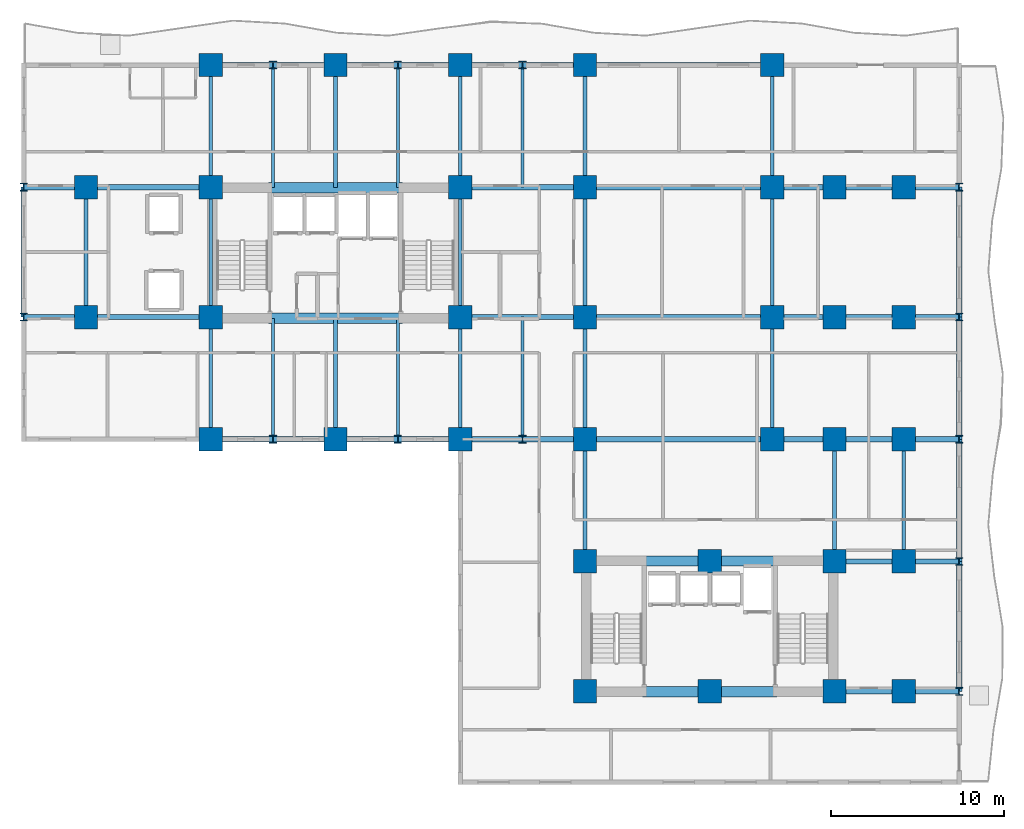
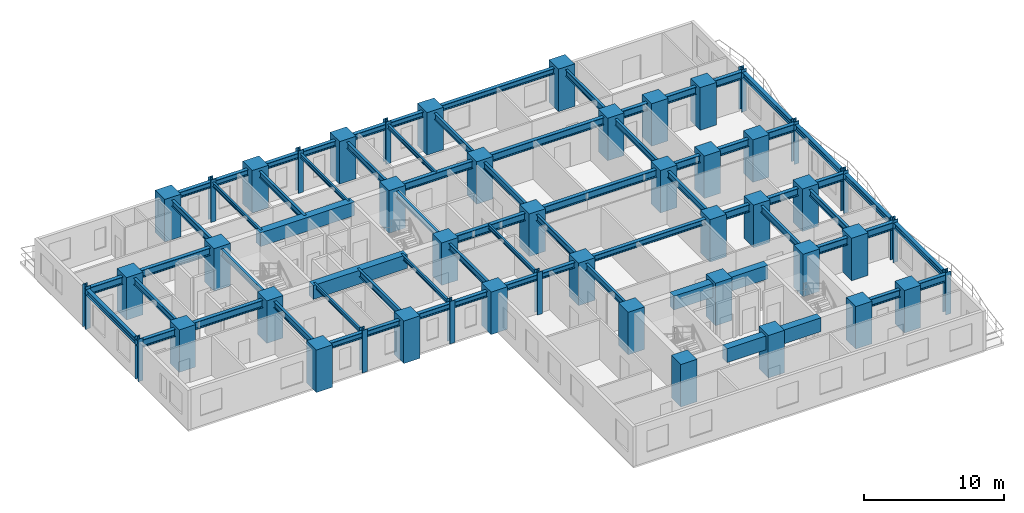
# One storey, part 1 of 11: 68 beams, 47 columns.
"""IFC4 building model written with IfcOpenShell, lengths in metres."""

import ifcopenshell
import ifcopenshell.guid

model = None  # the IFC model being written
_history = None  # IfcOwnerHistory: only IFC2X3 demands one
_inside = {}  # id of a spatial element -> (the spatial element, [elements in it])
_under = {}  # id of a project, library or spatial element -> (it, [spatial elements below it])
_declared = {}  # id of a project -> (the project, [libraries it declares])
_typed = {}  # id of a type object -> (the type object, [elements of that type])
_made_of = {}  # id of a material, layer set ... -> (it, [elements and type objects made of it])


def new_model(schema):
    """Start an empty IFC model of exactly this schema.

    Asked for "IFC4X3", IfcOpenShell would pick the latest addendum, in which some entities
    have other attributes; the version numbers below select the first issue.
    IFC2X3 requires an IfcOwnerHistory on every rooted entity: one is made here for all.
    """
    global model, _history
    if schema == "IFC4X3":
        model = ifcopenshell.file(schema_version=(4, 3, 0, 0))
    else:
        model = ifcopenshell.file(schema=schema)
    _inside.clear()
    _under.clear()
    _declared.clear()
    _typed.clear()
    _made_of.clear()
    _history = None
    if model.schema == "IFC2X3":
        org = make("IfcOrganization", Name="unknown")
        user = make(
            "IfcPersonAndOrganization",
            ThePerson=make("IfcPerson", FamilyName="unknown"),
            TheOrganization=org,
        )
        app = make(
            "IfcApplication",
            ApplicationDeveloper=org,
            Version="unknown",
            ApplicationFullName="unknown",
            ApplicationIdentifier="unknown",
        )
        _history = make(
            "IfcOwnerHistory",
            OwningUser=user,
            OwningApplication=app,
            ChangeAction="ADDED",
            CreationDate=0,
        )
    return model


def make(cls, **values):
    """One entity of the class cls with the attributes given. An attribute that is None is left unset."""
    return model.create_entity(
        cls, **{name: value for name, value in values.items() if value is not None}
    )


def rooted(cls, **values):
    """An entity with a GlobalId (a new one), such as an element, a storey or a relation."""
    return make(cls, GlobalId=ifcopenshell.guid.new(), OwnerHistory=_history, **values)


def si_unit(unit_type, name, prefix=None):
    """IfcSIUnit, for example si_unit("LENGTHUNIT", "METRE", prefix="MILLI")."""
    return make("IfcSIUnit", UnitType=unit_type, Prefix=prefix, Name=name)


def assignment(units):
    """IfcUnitAssignment: the units of a project."""
    return None if units is None else make("IfcUnitAssignment", Units=units)


def point(xyz):
    """IfcCartesianPoint."""
    return None if xyz is None else make("IfcCartesianPoint", Coordinates=xyz)


def direction(xyz):
    """IfcDirection."""
    return None if xyz is None else make("IfcDirection", DirectionRatios=xyz)


def frame(location, z_axis=None, x_axis=None):
    """IfcAxis2Placement3D, a coordinate frame: its origin and axes. An axis left out is left unset."""
    return make(
        "IfcAxis2Placement3D",
        Location=point(location),
        Axis=direction(z_axis),
        RefDirection=direction(x_axis),
    )


def frame_2d(location, x_axis=None):
    """IfcAxis2Placement2D, a coordinate frame in the plane: its origin and x axis."""
    return make(
        "IfcAxis2Placement2D", Location=point(location), RefDirection=direction(x_axis)
    )


def origin():
    """The frame at (0, 0, 0) with its axes left unset."""
    return frame((0.0, 0.0, 0.0))


def origin_2d():
    """The frame at (0, 0) in the plane with its x axis left unset."""
    return frame_2d((0.0, 0.0))


def place(relative_to, where):
    """IfcLocalPlacement: puts the frame where relative to a parent placement (None: the world)."""
    return make(
        "IfcLocalPlacement", PlacementRelTo=relative_to, RelativePlacement=where
    )


def context(
    kind, dimensions, precision=None, world=None, true_north=None, identifier=None
):
    """IfcGeometricRepresentationContext, for example the 3D "Model" context."""
    return make(
        "IfcGeometricRepresentationContext",
        ContextIdentifier=identifier,
        ContextType=kind,
        CoordinateSpaceDimension=dimensions,
        Precision=precision,
        WorldCoordinateSystem=world,
        TrueNorth=true_north,
    )


def subcontext(parent, identifier, kind, view, scale=None):
    """IfcGeometricRepresentationSubContext, for example "Body" below "Model"."""
    return make(
        "IfcGeometricRepresentationSubContext",
        ContextIdentifier=identifier,
        ContextType=kind,
        ParentContext=parent,
        TargetScale=scale,
        TargetView=view,
    )


def project(units=None, contexts=None):
    """IfcProject with its units and contexts."""
    return rooted(
        "IfcProject",
        Name="project",
        RepresentationContexts=contexts,
        UnitsInContext=assignment(units),
    )


def spatial(cls, under=None, at=None, **own):
    """A site, building, storey or space (cls), placed at a placement, below another one or the project."""
    s = rooted(cls, ObjectPlacement=at, **own)
    if under is not None:
        _under.setdefault(under.id(), (under, []))[1].append(s)
    return s


def profile(cls, at=None, kind="AREA", **sizes):
    """A parametric profile (cls). Its sizes go by their IFC names, for example OverallWidth=200.0."""
    return make(cls, ProfileType=kind, Position=at, **sizes)


def rectangle(**sizes):
    """IfcRectangleProfileDef."""
    return profile("IfcRectangleProfileDef", **sizes)


def i_section(**sizes):
    """IfcIShapeProfileDef."""
    return profile("IfcIShapeProfileDef", **sizes)


def extrude(swept, where, along, depth):
    """IfcExtrudedAreaSolid: the profile swept, set in the frame where, extruded along a direction by depth."""
    return make(
        "IfcExtrudedAreaSolid",
        SweptArea=swept,
        Position=where,
        ExtrudedDirection=direction(along),
        Depth=depth,
    )


def shape(context_of_items, identifier, shape_type, items):
    """IfcShapeRepresentation: the items that make up one representation, for example the "Body"."""
    return make(
        "IfcShapeRepresentation",
        ContextOfItems=context_of_items,
        RepresentationIdentifier=identifier,
        RepresentationType=shape_type,
        Items=items,
    )


def source(mapping_origin, context_of_items, identifier, shape_type, items):
    """IfcRepresentationMap: a shape defined once, which mapped items show again and again."""
    return make(
        "IfcRepresentationMap",
        MappingOrigin=mapping_origin,
        MappedRepresentation=shape(context_of_items, identifier, shape_type, items),
    )


def transform(
    local_origin,
    x_axis=None,
    y_axis=None,
    z_axis=None,
    scale=None,
    scale2=None,
    scale3=None,
    uniform=True,
):
    """IfcCartesianTransformationOperator3D, or its non-uniform kind. x_axis, y_axis, z_axis: its Axis1, 2, 3."""
    if uniform:
        return make(
            "IfcCartesianTransformationOperator3D",
            Axis1=direction(x_axis),
            Axis2=direction(y_axis),
            LocalOrigin=point(local_origin),
            Scale=scale,
            Axis3=direction(z_axis),
        )
    return make(
        "IfcCartesianTransformationOperator3DnonUniform",
        Axis1=direction(x_axis),
        Axis2=direction(y_axis),
        LocalOrigin=point(local_origin),
        Scale=scale,
        Axis3=direction(z_axis),
        Scale2=scale2,
        Scale3=scale3,
    )


def mapped(mapping_source, mapping_target):
    """IfcMappedItem: shows the shape of a source again, moved by a transform."""
    return make(
        "IfcMappedItem", MappingSource=mapping_source, MappingTarget=mapping_target
    )


def material(Name=None, Category=None):
    """IfcMaterial."""
    return make("IfcMaterial", Name=Name, Category=Category)


def material_profile(
    of_material, cross_section, Name=None, Category=None, Priority=None
):
    """IfcMaterialProfile: a cross section and its material."""
    return make(
        "IfcMaterialProfile",
        Name=Name,
        Material=of_material,
        Profile=cross_section,
        Priority=Priority,
        Category=Category,
    )


def profile_set(profiles, Name=None, composite=None):
    """IfcMaterialProfileSet."""
    return make(
        "IfcMaterialProfileSet",
        Name=Name,
        MaterialProfiles=profiles,
        CompositeProfile=composite,
    )


def made_of(thing, what):
    """Note that an element or type object is made of a material, layer set ...; save() writes the relation."""
    if what is not None:
        _made_of.setdefault(what.id(), (what, []))[1].append(thing)
    return thing


def type_object(cls, material=None, **own):
    """A type object (cls), such as IfcWallType, which elements share."""
    return made_of(rooted(cls, **own), material)


def element(
    cls,
    number,
    at=None,
    inside=None,
    cuts=None,
    type_object=None,
    material=None,
    context=None,
    identifier="Body",
    shape_type=None,
    held_by="IfcProductDefinitionShape",
    body=None,
    shapes=None,
    **own,
):
    """One element of the class cls, such as IfcWall. Its Tag is "e" and its number.

    at: its placement. inside: the storey or other place that contains it. cuts: it is an
    opening in that element (IfcRelVoidsElement). A single representation is given by context,
    identifier, shape_type and body (its items); several are given by shapes. held_by: the class
    of the entity that holds the representations. save() writes the other relations.
    """
    e = rooted(cls, Tag="e%d" % number, ObjectPlacement=at, **own)
    if body is not None:
        shapes = [shape(context, identifier, shape_type, body)]
    if shapes is not None:
        e.Representation = make(held_by, Representations=shapes)
    if inside is not None:
        _inside.setdefault(inside.id(), (inside, []))[1].append(e)
    if cuts is not None:
        rooted(
            "IfcRelVoidsElement", RelatingBuildingElement=cuts, RelatedOpeningElement=e
        )
    if type_object is not None:
        _typed.setdefault(type_object.id(), (type_object, []))[1].append(e)
    return made_of(e, material)


def aggregate(whole, parts):
    """IfcRelAggregates: a whole, such as a stair, and the parts it consists of."""
    return rooted("IfcRelAggregates", RelatingObject=whole, RelatedObjects=parts)


def save(model, path):
    """Write the relations noted so far, then the file.

    IfcRelAggregates (storeys below a building ...), IfcRelContainedInSpatialStructure (elements
    in a storey), IfcRelDefinesByType, IfcRelAssociatesMaterial and IfcRelDeclares: one each for
    every whole, place, type object, material and project.
    """
    for whole, parts in _under.values():
        aggregate(whole, parts)
    for where, things in _inside.values():
        rooted(
            "IfcRelContainedInSpatialStructure",
            RelatedElements=things,
            RelatingStructure=where,
        )
    for kind, things in _typed.values():
        rooted("IfcRelDefinesByType", RelatedObjects=things, RelatingType=kind)
    for what, things in _made_of.values():
        rooted("IfcRelAssociatesMaterial", RelatedObjects=things, RelatingMaterial=what)
    for by, libraries in _declared.values():
        rooted("IfcRelDeclares", RelatingContext=by, RelatedDefinitions=libraries)
    model.write(path)


model = new_model("IFC4")

# Units and contexts
model_context = context("Model", 3, precision=1e-05, world=origin(), true_north=direction((0.0, 1.0)))
body_context = subcontext(model_context, "Body", "Model", "MODEL_VIEW")
ifc_project = project(units=[si_unit("LENGTHUNIT", "METRE"), si_unit("AREAUNIT", "SQUARE_METRE"), si_unit("VOLUMEUNIT", "CUBIC_METRE"), si_unit("PLANEANGLEUNIT", "RADIAN"), si_unit("MASSUNIT", "GRAM", prefix="KILO")], contexts=[model_context])

# Site, building, storey
site_placement = place(None, origin())
site = spatial("IfcSite", under=ifc_project, at=site_placement, CompositionType="ELEMENT")
building_placement = place(site_placement, origin())
building = spatial("IfcBuilding", under=site, at=building_placement, Name="Kaliganga Portal Commons", CompositionType="ELEMENT")
storey_placement = place(building_placement, frame((0.0, 0.0, 40.10009765625)))
storey = spatial("IfcBuildingStorey", under=building, at=storey_placement, Name="L09", CompositionType="ELEMENT", Elevation=40.10009765625)

# Columns
ifc_material_1 = material(Name="Concrete C70/85", Category="concrete")
ifc_material_profile_1 = material_profile(ifc_material_1, rectangle(XDim=1.35009765625, YDim=1.35009765625, at=origin_2d()), Name="RC 1350x1350")
ifc_profile_set_1 = profile_set([ifc_material_profile_1], Name="Concrete C70/85")
column_type_1 = type_object("IfcColumnType", Name="COL-MEGA-Z1", PredefinedType="COLUMN", material=ifc_profile_set_1)
shared_shape_1 = source(origin(), body_context, "Body", "SweptSolid", [
    extrude(rectangle(XDim=1.35009765625, YDim=1.35009765625, at=origin_2d()), origin(), (0.0, 0.0, 1.0), 3.699951171875),
])
for number, where, z_axis, x_axis, name in (
    (1, (7.199951171875, 28.64990234375, 0.0), (0.0, 0.0, 1.0), (1.0, 0.0, 0.0), "Column MC-02 L09"),
    (2, (7.199951171875, 36.14990234375, 0.0), (0.0, 0.0, 1.0), (1.0, 0.0, 0.0), "Column MC-02 L09"),
    (3, (14.39990234375, 21.60009765625, 0.0), (0.0, 0.0, 1.0), (1.0, 0.0, 0.0), "Column MC-02 L09"),
    (4, (14.39990234375, 28.64990234375, 0.0), (0.0, 0.0, 1.0), (1.0, 0.0, 0.0), "Column MC-02 L09"),
    (5, (14.39990234375, 36.14990234375, 0.0), (0.0, 0.0, 1.0), (1.0, 0.0, 0.0), "Column MC-02 L09"),
    (6, (14.39990234375, 43.199951171875, 0.0), (0.0, 0.0, 1.0), (1.0, 0.0, 0.0), "Column MC-02 L09"),
    (7, (21.60009765625, 21.60009765625, 0.0), (0.0, 0.0, 1.0), (1.0, 0.0, 0.0), "Column MC-02 L09"),
    (8, (21.60009765625, 43.199951171875, 0.0), (0.0, 0.0, 1.0), (1.0, 0.0, 0.0), "Column MC-02 L09"),
    (9, (28.800048828125, 21.60009765625, 0.0), (0.0, 0.0, 1.0), (1.0, 0.0, 0.0), "Column MC-02 L09"),
    (10, (28.800048828125, 28.64990234375, 0.0), (0.0, 0.0, 1.0), (1.0, 0.0, 0.0), "Column MC-02 L09"),
    (11, (28.800048828125, 36.14990234375, 0.0), (0.0, 0.0, 1.0), (1.0, 0.0, 0.0), "Column MC-02 L09"),
    (12, (28.800048828125, 43.199951171875, 0.0), (0.0, 0.0, 1.0), (1.0, 0.0, 0.0), "Column MC-02 L09"),
    (13, (36.0, 21.60009765625, 0.0), (0.0, 0.0, 1.0), (1.0, 0.0, 0.0), "Column MC-02 L09"),
    (14, (36.0, 43.199951171875, 0.0), (0.0, 0.0, 1.0), (1.0, 0.0, 0.0), "Column MC-02 L09"),
    (15, (36.0, 28.64990234375, 0.0), (0.0, 0.0, 1.0), (1.0, 0.0, 0.0), "Column MC-02 L09"),
    (16, (36.0, 36.14990234375, 0.0), (0.0, 0.0, 1.0), (1.0, 0.0, 0.0), "Column MC-02 L09"),
    (17, (46.800048828125, 21.60009765625, 0.0), (0.0, 0.0, 1.0), (1.0, 0.0, 0.0), "Column MC-02 L09"),
    (18, (46.800048828125, 28.64990234375, 0.0), (0.0, 0.0, 1.0), (1.0, 0.0, 0.0), "Column MC-02 L09"),
    (19, (46.800048828125, 36.14990234375, 0.0), (0.0, 0.0, 1.0), (1.0, 0.0, 0.0), "Column MC-02 L09"),
    (20, (46.800048828125, 43.199951171875, 0.0), (0.0, 0.0, 1.0), (1.0, 0.0, 0.0), "Column MC-02 L09"),
    (21, (36.0, 7.050048828125, 0.0), (0.0, 0.0, 1.0), (1.0, 0.0, 0.0), "Column MC-02 L09"),
    (22, (36.0, 14.550048828125, 0.0), (0.0, 0.0, 1.0), (1.0, 0.0, 0.0), "Column MC-02 L09"),
    (23, (43.199951171875, 7.050048828125, 0.0), (0.0, 0.0, 1.0), (1.0, 0.0, 0.0), "Column MC-02 L09"),
    (24, (43.199951171875, 14.550048828125, 0.0), (0.0, 0.0, 1.0), (1.0, 0.0, 0.0), "Column MC-02 L09"),
    (25, (50.39990234375, 7.050048828125, 0.0), (0.0, 0.0, 1.0), (1.0, 0.0, 0.0), "Column MC-02 L09"),
    (26, (50.39990234375, 14.550048828125, 0.0), (0.0, 0.0, 1.0), (1.0, 0.0, 0.0), "Column MC-02 L09"),
    (27, (50.39990234375, 21.60009765625, 0.0), (0.0, 0.0, 1.0), (1.0, 0.0, 0.0), "Column MC-02 L09"),
    (28, (50.39990234375, 28.64990234375, 0.0), (0.0, 0.0, 1.0), (1.0, 0.0, 0.0), "Column MC-02 L09"),
    (29, (50.39990234375, 36.14990234375, 0.0), (0.0, 0.0, 1.0), (1.0, 0.0, 0.0), "Column MC-02 L09"),
    (30, (54.39990234375, 7.050048828125, 0.0), (0.0, 0.0, 1.0), (1.0, 0.0, 0.0), "Column MC-02 L09"),
    (31, (54.39990234375, 14.550048828125, 0.0), (0.0, 0.0, 1.0), (1.0, 0.0, 0.0), "Column MC-02 L09"),
    (32, (54.39990234375, 21.60009765625, 0.0), (0.0, 0.0, 1.0), (1.0, 0.0, 0.0), "Column MC-02 L09"),
    (33, (54.39990234375, 28.64990234375, 0.0), (0.0, 0.0, 1.0), (1.0, 0.0, 0.0), "Column MC-02 L09"),
    (34, (54.39990234375, 36.14990234375, 0.0), (0.0, 0.0, 1.0), (1.0, 0.0, 0.0), "Column MC-02 L09"),
):
    element("IfcColumn", number, at=place(storey_placement, frame(where, z_axis=z_axis, x_axis=x_axis)), inside=storey, type_object=column_type_1, Name=name, PredefinedType="COLUMN", context=body_context, shape_type="MappedRepresentation", body=[
        mapped(shared_shape_1, transform((0.0, 0.0, 0.0), x_axis=(1.0, 0.0, 0.0), y_axis=(0.0, 1.0, 0.0), z_axis=(0.0, 0.0, 1.0), scale=1.0)),
    ])
ifc_material_2 = material(Name="Structural steel S460M", Category="steel")
ifc_material_profile_2 = material_profile(ifc_material_2, i_section(OverallWidth=0.416015625, OverallDepth=0.446044921875, WebThickness=0.029052734375, FlangeThickness=0.0400390625, FilletRadius=0.014892578125, at=origin_2d()), Name="HD 400x509")
ifc_profile_set_2 = profile_set([ifc_material_profile_2], Name="Structural steel S460M wide-flange")
column_type_2 = type_object("IfcColumnType", Name="COL-TUBE-B1", PredefinedType="COLUMN", material=ifc_profile_set_2)
shared_shape_2 = source(origin(), body_context, "Body", "SweptSolid", [
    extrude(i_section(OverallWidth=0.416015625, OverallDepth=0.446044921875, WebThickness=0.029052734375, FlangeThickness=0.0400390625, FilletRadius=0.014892578125, at=origin_2d()), origin(), (0.0, 0.0, 1.0), 3.699951171875),
])
for number, where, z_axis, x_axis, name in (
    (35, (3.60009765625, 28.64990234375, 0.0), (0.0, 0.0, 1.0), (1.0, 0.0, 0.0), "Column TC-01 L09"),
    (36, (3.60009765625, 36.14990234375, 0.0), (0.0, 0.0, 1.0), (1.0, 0.0, 0.0), "Column TC-01 L09"),
    (37, (18.0, 21.60009765625, 0.0), (0.0, 0.0, 1.0), (1.0, 0.0, 0.0), "Column TC-01 L09"),
    (38, (18.0, 43.199951171875, 0.0), (0.0, 0.0, 1.0), (1.0, 0.0, 0.0), "Column TC-01 L09"),
    (39, (25.199951171875, 21.60009765625, 0.0), (0.0, 0.0, 1.0), (1.0, 0.0, 0.0), "Column TC-01 L09"),
    (40, (25.199951171875, 43.199951171875, 0.0), (0.0, 0.0, 1.0), (1.0, 0.0, 0.0), "Column TC-01 L09"),
    (41, (32.39990234375, 21.60009765625, 0.0), (0.0, 0.0, 1.0), (1.0, 0.0, 0.0), "Column TC-01 L09"),
    (42, (32.39990234375, 43.199951171875, 0.0), (0.0, 0.0, 1.0), (1.0, 0.0, 0.0), "Column TC-01 L09"),
    (43, (57.60009765625, 7.050048828125, 0.0), (0.0, 0.0, 1.0), (1.0, 0.0, 0.0), "Column TC-01 L09"),
    (44, (57.60009765625, 14.550048828125, 0.0), (0.0, 0.0, 1.0), (1.0, 0.0, 0.0), "Column TC-01 L09"),
    (45, (57.60009765625, 21.60009765625, 0.0), (0.0, 0.0, 1.0), (1.0, 0.0, 0.0), "Column TC-01 L09"),
    (46, (57.60009765625, 28.64990234375, 0.0), (0.0, 0.0, 1.0), (1.0, 0.0, 0.0), "Column TC-01 L09"),
    (47, (57.60009765625, 36.14990234375, 0.0), (0.0, 0.0, 1.0), (1.0, 0.0, 0.0), "Column TC-01 L09"),
):
    element("IfcColumn", number, at=place(storey_placement, frame(where, z_axis=z_axis, x_axis=x_axis)), inside=storey, type_object=column_type_2, Name=name, PredefinedType="COLUMN", context=body_context, shape_type="MappedRepresentation", body=[
        mapped(shared_shape_2, transform((0.0, 0.0, 0.0), x_axis=(1.0, 0.0, 0.0), y_axis=(0.0, 1.0, 0.0), z_axis=(0.0, 0.0, 1.0), scale=1.0)),
    ])

# Beams
ifc_material_3 = material(Name="Concrete C60/75", Category="concrete")
ifc_material_profile_3 = material_profile(ifc_material_3, rectangle(XDim=0.60009765625, YDim=1.199951171875, at=origin_2d()), Name="RC 600x1200")
ifc_profile_set_3 = profile_set([ifc_material_profile_3], Name="Concrete C60/75")
beam_type_1 = type_object("IfcBeamType", Name="BM-CPL-1200", PredefinedType="LINTEL", material=ifc_profile_set_3)
shared_shape_3 = source(origin(), body_context, "Body", "SweptSolid", [
    extrude(rectangle(XDim=0.60009765625, YDim=1.199951171875, at=origin_2d()), origin(), (0.0, 0.0, 1.0), 7.739990234375),
])
for number, where, z_axis, x_axis, name in (
    (48, (17.72998046875, 28.574951171875, 2.849853515625), (1.0, 0.0, 0.0), (0.0, 1.0, 0.0), "BM CPL COREA L09 S"),
    (49, (17.72998046875, 36.125, 2.849853515625), (1.0, 0.0, 0.0), (0.0, 1.0, 0.0), "BM CPL COREA L09 N"),
    (50, (39.330078125, 7.02490234375, 2.849853515625), (1.0, 0.0, 0.0), (0.0, 1.0, 0.0), "BM CPL COREB L09 S"),
    (51, (39.330078125, 14.574951171875, 2.849853515625), (1.0, 0.0, 0.0), (0.0, 1.0, 0.0), "BM CPL COREB L09 N"),
):
    element("IfcBeam", number, at=place(storey_placement, frame(where, z_axis=z_axis, x_axis=x_axis)), inside=storey, type_object=beam_type_1, Name=name, PredefinedType="LINTEL", context=body_context, shape_type="MappedRepresentation", body=[
        mapped(shared_shape_3, transform((0.0, 0.0, 0.0), x_axis=(1.0, 0.0, 0.0), y_axis=(0.0, 1.0, 0.0), z_axis=(0.0, 0.0, 1.0), scale=1.0)),
    ])
ifc_material_4 = material(Name="Structural steel S355J2", Category="steel")
ifc_material_profile_4 = material_profile(ifc_material_4, i_section(OverallWidth=0.300048828125, OverallDepth=0.5, WebThickness=0.014404296875, FlangeThickness=0.028076171875, FilletRadius=0.027099609375, at=origin_2d()), Name="HE 500 B")
ifc_profile_set_4 = profile_set([ifc_material_profile_4], Name="Structural steel S355J2 wide-flange")
beam_type_2 = type_object("IfcBeamType", Name="BM-SPAND-500", PredefinedType="SPANDREL", material=ifc_profile_set_4)
shared_shape_4 = source(origin(), body_context, "Body", "SweptSolid", [
    extrude(i_section(OverallWidth=0.300048828125, OverallDepth=0.5, WebThickness=0.014404296875, FlangeThickness=0.028076171875, FilletRadius=0.027099609375, at=origin_2d()), origin(), (0.0, 0.0, 1.0), 10.800048828125),
])
for number, where, z_axis, x_axis, name in (
    (52, (36.0, 43.199951171875, 3.199951171875), (1.0, 0.0, 0.0), (0.0, 1.0, 0.0), "BM SP L09 AN 7"),
    (53, (36.0, 21.60009765625, 3.199951171875), (1.0, 0.0, 0.0), (0.0, 1.0, 0.0), "BM SP L09 AS 7"),
):
    element("IfcBeam", number, at=place(storey_placement, frame(where, z_axis=z_axis, x_axis=x_axis)), inside=storey, type_object=beam_type_2, Name=name, PredefinedType="SPANDREL", context=body_context, shape_type="MappedRepresentation", body=[
        mapped(shared_shape_4, transform((0.0, 0.0, 0.0), x_axis=(1.0, 0.0, 0.0), y_axis=(0.0, 1.0, 0.0), z_axis=(0.0, 0.0, 1.0), scale=1.0)),
    ])
shared_shape_5 = source(origin(), body_context, "Body", "SweptSolid", [
    extrude(i_section(OverallWidth=0.300048828125, OverallDepth=0.5, WebThickness=0.014404296875, FlangeThickness=0.028076171875, FilletRadius=0.027099609375, at=origin_2d()), origin(), (0.0, 0.0, 1.0), 7.5),
])
for number, where, z_axis, x_axis, name in (
    (54, (3.60009765625, 28.64990234375, 3.199951171875), (0.0, 1.0, 0.0), (-1.0, 0.0, 0.0), "BM SP L09 AW"),
    (55, (57.60009765625, 7.050048828125, 3.199951171875), (0.0, 1.0, 0.0), (-1.0, 0.0, 0.0), "BM SP L09 BE 1"),
    (56, (57.60009765625, 28.64990234375, 3.199951171875), (0.0, 1.0, 0.0), (-1.0, 0.0, 0.0), "BM SP L09 BE 4"),
):
    element("IfcBeam", number, at=place(storey_placement, frame(where, z_axis=z_axis, x_axis=x_axis)), inside=storey, type_object=beam_type_2, Name=name, PredefinedType="SPANDREL", context=body_context, shape_type="MappedRepresentation", body=[
        mapped(shared_shape_5, transform((0.0, 0.0, 0.0), x_axis=(1.0, 0.0, 0.0), y_axis=(0.0, 1.0, 0.0), z_axis=(0.0, 0.0, 1.0), scale=1.0)),
    ])
shared_shape_6 = source(origin(), body_context, "Body", "SweptSolid", [
    extrude(i_section(OverallWidth=0.300048828125, OverallDepth=0.5, WebThickness=0.014404296875, FlangeThickness=0.028076171875, FilletRadius=0.027099609375, at=origin_2d()), origin(), (0.0, 0.0, 1.0), 7.050048828125),
])
beam_1_placement = place(storey_placement, frame((57.60009765625, 14.550048828125, 3.199951171875), z_axis=(0.0, 1.0, 0.0), x_axis=(-1.0, 0.0, 0.0)))
element("IfcBeam", 57, at=beam_1_placement, inside=storey, type_object=beam_type_2, Name="BM SP L09 BE 2", PredefinedType="SPANDREL", context=body_context, shape_type="MappedRepresentation", body=[
    mapped(shared_shape_6, transform((0.0, 0.0, 0.0), x_axis=(1.0, 0.0, 0.0), y_axis=(0.0, 1.0, 0.0), z_axis=(0.0, 0.0, 1.0), scale=1.0)),
])
shared_shape_7 = source(origin(), body_context, "Body", "SweptSolid", [
    extrude(i_section(OverallWidth=0.300048828125, OverallDepth=0.5, WebThickness=0.014404296875, FlangeThickness=0.028076171875, FilletRadius=0.027099609375, at=origin_2d()), origin(), (0.0, 0.0, 1.0), 7.0498046875),
])
beam_2_placement = place(storey_placement, frame((57.60009765625, 21.60009765625, 3.199951171875), z_axis=(0.0, 1.0, 0.0), x_axis=(-1.0, 0.0, 0.0)))
element("IfcBeam", 58, at=beam_2_placement, inside=storey, type_object=beam_type_2, Name="BM SP L09 BE 3", PredefinedType="SPANDREL", context=body_context, shape_type="MappedRepresentation", body=[
    mapped(shared_shape_7, transform((0.0, 0.0, 0.0), x_axis=(1.0, 0.0, 0.0), y_axis=(0.0, 1.0, 0.0), z_axis=(0.0, 0.0, 1.0), scale=1.0)),
])
shared_shape_8 = source(origin(), body_context, "Body", "SweptSolid", [
    extrude(i_section(OverallWidth=0.300048828125, OverallDepth=0.5, WebThickness=0.014404296875, FlangeThickness=0.028076171875, FilletRadius=0.027099609375, at=origin_2d()), origin(), (0.0, 0.0, 1.0), 3.60009765625),
])
for number, where, z_axis, x_axis, name in (
    (59, (14.39990234375, 43.199951171875, 3.199951171875), (1.0, 0.0, 0.0), (0.0, 1.0, 0.0), "BM SP L09 AN 1"),
    (60, (18.0, 43.199951171875, 3.199951171875), (1.0, 0.0, 0.0), (0.0, 1.0, 0.0), "BM SP L09 AN 2"),
    (61, (25.199951171875, 43.199951171875, 3.199951171875), (1.0, 0.0, 0.0), (0.0, 1.0, 0.0), "BM SP L09 AN 4"),
    (62, (32.39990234375, 43.199951171875, 3.199951171875), (1.0, 0.0, 0.0), (0.0, 1.0, 0.0), "BM SP L09 AN 6"),
    (63, (14.39990234375, 21.60009765625, 3.199951171875), (1.0, 0.0, 0.0), (0.0, 1.0, 0.0), "BM SP L09 AS 1"),
    (64, (18.0, 21.60009765625, 3.199951171875), (1.0, 0.0, 0.0), (0.0, 1.0, 0.0), "BM SP L09 AS 2"),
    (65, (25.199951171875, 21.60009765625, 3.199951171875), (1.0, 0.0, 0.0), (0.0, 1.0, 0.0), "BM SP L09 AS 4"),
    (66, (32.39990234375, 21.60009765625, 3.199951171875), (1.0, 0.0, 0.0), (0.0, 1.0, 0.0), "BM SP L09 AS 6"),
):
    element("IfcBeam", number, at=place(storey_placement, frame(where, z_axis=z_axis, x_axis=x_axis)), inside=storey, type_object=beam_type_2, Name=name, PredefinedType="SPANDREL", context=body_context, shape_type="MappedRepresentation", body=[
        mapped(shared_shape_8, transform((0.0, 0.0, 0.0), x_axis=(1.0, 0.0, 0.0), y_axis=(0.0, 1.0, 0.0), z_axis=(0.0, 0.0, 1.0), scale=1.0)),
    ])
shared_shape_9 = source(origin(), body_context, "Body", "SweptSolid", [
    extrude(i_section(OverallWidth=0.300048828125, OverallDepth=0.5, WebThickness=0.014404296875, FlangeThickness=0.028076171875, FilletRadius=0.027099609375, at=origin_2d()), origin(), (0.0, 0.0, 1.0), 3.599853515625),
])
for number, where, z_axis, x_axis, name in (
    (67, (21.60009765625, 43.199951171875, 3.199951171875), (1.0, 0.0, 0.0), (0.0, 1.0, 0.0), "BM SP L09 AN 3"),
    (68, (28.800048828125, 43.199951171875, 3.199951171875), (1.0, 0.0, 0.0), (0.0, 1.0, 0.0), "BM SP L09 AN 5"),
    (69, (21.60009765625, 21.60009765625, 3.199951171875), (1.0, 0.0, 0.0), (0.0, 1.0, 0.0), "BM SP L09 AS 3"),
    (70, (28.800048828125, 21.60009765625, 3.199951171875), (1.0, 0.0, 0.0), (0.0, 1.0, 0.0), "BM SP L09 AS 5"),
):
    element("IfcBeam", number, at=place(storey_placement, frame(where, z_axis=z_axis, x_axis=x_axis)), inside=storey, type_object=beam_type_2, Name=name, PredefinedType="SPANDREL", context=body_context, shape_type="MappedRepresentation", body=[
        mapped(shared_shape_9, transform((0.0, 0.0, 0.0), x_axis=(1.0, 0.0, 0.0), y_axis=(0.0, 1.0, 0.0), z_axis=(0.0, 0.0, 1.0), scale=1.0)),
    ])
ifc_material_profile_5 = material_profile(ifc_material_4, i_section(OverallWidth=0.300048828125, OverallDepth=0.64990234375, WebThickness=0.01611328125, FlangeThickness=0.031005859375, FilletRadius=0.027099609375, at=origin_2d()), Name="HE 650 B")
ifc_profile_set_5 = profile_set([ifc_material_profile_5], Name="Structural steel S355J2 wide-flange")
beam_type_3 = type_object("IfcBeamType", Name="BM-GIRD-650", PredefinedType="USERDEFINED", material=ifc_profile_set_5)
shared_shape_10 = source(origin(), body_context, "Body", "SweptSolid", [
    extrude(i_section(OverallWidth=0.300048828125, OverallDepth=0.64990234375, WebThickness=0.01611328125, FlangeThickness=0.031005859375, FilletRadius=0.027099609375, at=origin_2d()), origin(), (0.0, 0.0, 1.0), 3.599853515625),
])
for number, where, z_axis, x_axis, name in (
    (71, (3.60009765625, 28.64990234375, 3.125), (1.0, 0.0, 0.0), (0.0, 1.0, 0.0), "BM G L09 WAH_S 1"),
    (72, (3.60009765625, 36.14990234375, 3.125), (1.0, 0.0, 0.0), (0.0, 1.0, 0.0), "BM G L09 WAH_N 1"),
    (73, (46.800048828125, 21.60009765625, 3.125), (1.0, 0.0, 0.0), (0.0, 1.0, 0.0), "BM G L09 BKE216 1"),
    (74, (46.800048828125, 28.64990234375, 3.125), (1.0, 0.0, 0.0), (0.0, 1.0, 0.0), "BM G L09 BKE286 1"),
    (75, (46.800048828125, 36.14990234375, 3.125), (1.0, 0.0, 0.0), (0.0, 1.0, 0.0), "BM G L09 BKE362 1"),
):
    element("IfcBeam", number, at=place(storey_placement, frame(where, z_axis=z_axis, x_axis=x_axis)), inside=storey, type_object=beam_type_3, Name=name, ObjectType="GIRDER", PredefinedType="USERDEFINED", context=body_context, shape_type="MappedRepresentation", body=[
        mapped(shared_shape_10, transform((0.0, 0.0, 0.0), x_axis=(1.0, 0.0, 0.0), y_axis=(0.0, 1.0, 0.0), z_axis=(0.0, 0.0, 1.0), scale=1.0)),
    ])
shared_shape_11 = source(origin(), body_context, "Body", "SweptSolid", [
    extrude(i_section(OverallWidth=0.300048828125, OverallDepth=0.64990234375, WebThickness=0.01611328125, FlangeThickness=0.031005859375, FilletRadius=0.027099609375, at=origin_2d()), origin(), (0.0, 0.0, 1.0), 7.199951171875),
])
for number, where, z_axis, x_axis, name in (
    (76, (7.199951171875, 28.64990234375, 3.125), (1.0, 0.0, 0.0), (0.0, 1.0, 0.0), "BM G L09 WAH_S 2"),
    (77, (7.199951171875, 36.14990234375, 3.125), (1.0, 0.0, 0.0), (0.0, 1.0, 0.0), "BM G L09 WAH_N 2"),
    (78, (28.800048828125, 28.64990234375, 3.125), (1.0, 0.0, 0.0), (0.0, 1.0, 0.0), "BM G L09 WAE_S 1"),
    (79, (28.800048828125, 36.14990234375, 3.125), (1.0, 0.0, 0.0), (0.0, 1.0, 0.0), "BM G L09 WAE_N 1"),
):
    element("IfcBeam", number, at=place(storey_placement, frame(where, z_axis=z_axis, x_axis=x_axis)), inside=storey, type_object=beam_type_3, Name=name, ObjectType="GIRDER", PredefinedType="USERDEFINED", context=body_context, shape_type="MappedRepresentation", body=[
        mapped(shared_shape_11, transform((0.0, 0.0, 0.0), x_axis=(1.0, 0.0, 0.0), y_axis=(0.0, 1.0, 0.0), z_axis=(0.0, 0.0, 1.0), scale=1.0)),
    ])
shared_shape_12 = source(origin(), body_context, "Body", "SweptSolid", [
    extrude(i_section(OverallWidth=0.300048828125, OverallDepth=0.64990234375, WebThickness=0.01611328125, FlangeThickness=0.031005859375, FilletRadius=0.027099609375, at=origin_2d()), origin(), (0.0, 0.0, 1.0), 10.800048828125),
])
for number, where, z_axis, x_axis, name in (
    (80, (36.0, 28.64990234375, 3.125), (1.0, 0.0, 0.0), (0.0, 1.0, 0.0), "BM G L09 WAE_S 2"),
    (81, (36.0, 36.14990234375, 3.125), (1.0, 0.0, 0.0), (0.0, 1.0, 0.0), "BM G L09 WAE_N 2"),
):
    element("IfcBeam", number, at=place(storey_placement, frame(where, z_axis=z_axis, x_axis=x_axis)), inside=storey, type_object=beam_type_3, Name=name, ObjectType="GIRDER", PredefinedType="USERDEFINED", context=body_context, shape_type="MappedRepresentation", body=[
        mapped(shared_shape_12, transform((0.0, 0.0, 0.0), x_axis=(1.0, 0.0, 0.0), y_axis=(0.0, 1.0, 0.0), z_axis=(0.0, 0.0, 1.0), scale=1.0)),
    ])
ifc_material_profile_6 = material_profile(ifc_material_4, i_section(OverallWidth=0.2099609375, OverallDepth=0.550048828125, WebThickness=0.010986328125, FlangeThickness=0.01708984375, FilletRadius=0.02392578125, at=origin_2d()), Name="IPE 550")
ifc_profile_set_6 = profile_set([ifc_material_profile_6], Name="Structural steel S355J2 wide-flange")
beam_type_4 = type_object("IfcBeamType", Name="BM-FLR-550", PredefinedType="BEAM", material=ifc_profile_set_6)
shared_shape_13 = source(origin(), body_context, "Body", "SweptSolid", [
    extrude(i_section(OverallWidth=0.2099609375, OverallDepth=0.550048828125, WebThickness=0.010986328125, FlangeThickness=0.01708984375, FilletRadius=0.02392578125, at=origin_2d()), origin(), (0.0, 0.0, 1.0), 7.5),
])
for number, where, z_axis, x_axis, name in (
    (82, (7.199951171875, 28.64990234375, 3.1748046875), (0.0, 1.0, 0.0), (-1.0, 0.0, 0.0), "BM G L09 AW72"),
    (83, (14.39990234375, 28.64990234375, 3.1748046875), (0.0, 1.0, 0.0), (-1.0, 0.0, 0.0), "BM G L09 AM144"),
    (84, (28.800048828125, 28.64990234375, 3.1748046875), (0.0, 1.0, 0.0), (-1.0, 0.0, 0.0), "BM G L09 AM288"),
    (85, (36.0, 28.64990234375, 3.1748046875), (0.0, 1.0, 0.0), (-1.0, 0.0, 0.0), "BM G L09 AM360"),
    (86, (46.800048828125, 28.64990234375, 3.1748046875), (0.0, 1.0, 0.0), (-1.0, 0.0, 0.0), "BM G L09 AM468"),
):
    element("IfcBeam", number, at=place(storey_placement, frame(where, z_axis=z_axis, x_axis=x_axis)), inside=storey, type_object=beam_type_4, Name=name, PredefinedType="BEAM", context=body_context, shape_type="MappedRepresentation", body=[
        mapped(shared_shape_13, transform((0.0, 0.0, 0.0), x_axis=(1.0, 0.0, 0.0), y_axis=(0.0, 1.0, 0.0), z_axis=(0.0, 0.0, 1.0), scale=1.0)),
    ])
shared_shape_14 = source(origin(), body_context, "Body", "SweptSolid", [
    extrude(i_section(OverallWidth=0.2099609375, OverallDepth=0.550048828125, WebThickness=0.010986328125, FlangeThickness=0.01708984375, FilletRadius=0.02392578125, at=origin_2d()), origin(), (0.0, 0.0, 1.0), 7.050048828125),
])
for number, where, z_axis, x_axis, name in (
    (87, (14.39990234375, 36.14990234375, 3.1748046875), (0.0, 1.0, 0.0), (-1.0, 0.0, 0.0), "BM G L09 AN144"),
    (88, (28.800048828125, 36.14990234375, 3.1748046875), (0.0, 1.0, 0.0), (-1.0, 0.0, 0.0), "BM G L09 AN288"),
    (89, (36.0, 36.14990234375, 3.1748046875), (0.0, 1.0, 0.0), (-1.0, 0.0, 0.0), "BM G L09 AN360"),
    (90, (46.800048828125, 36.14990234375, 3.1748046875), (0.0, 1.0, 0.0), (-1.0, 0.0, 0.0), "BM G L09 AN468"),
    (91, (36.0, 14.550048828125, 3.1748046875), (0.0, 1.0, 0.0), (-1.0, 0.0, 0.0), "BM G L09 BNK360"),
    (92, (50.39990234375, 14.550048828125, 3.1748046875), (0.0, 1.0, 0.0), (-1.0, 0.0, 0.0), "BM G L09 BNK504"),
    (93, (54.39990234375, 14.550048828125, 3.1748046875), (0.0, 1.0, 0.0), (-1.0, 0.0, 0.0), "BM G L09 BNK544"),
):
    element("IfcBeam", number, at=place(storey_placement, frame(where, z_axis=z_axis, x_axis=x_axis)), inside=storey, type_object=beam_type_4, Name=name, PredefinedType="BEAM", context=body_context, shape_type="MappedRepresentation", body=[
        mapped(shared_shape_14, transform((0.0, 0.0, 0.0), x_axis=(1.0, 0.0, 0.0), y_axis=(0.0, 1.0, 0.0), z_axis=(0.0, 0.0, 1.0), scale=1.0)),
    ])
shared_shape_15 = source(origin(), body_context, "Body", "SweptSolid", [
    extrude(i_section(OverallWidth=0.2099609375, OverallDepth=0.550048828125, WebThickness=0.010986328125, FlangeThickness=0.01708984375, FilletRadius=0.02392578125, at=origin_2d()), origin(), (0.0, 0.0, 1.0), 7.0498046875),
])
for number, where, z_axis, x_axis, name in (
    (94, (14.39990234375, 21.60009765625, 3.1748046875), (0.0, 1.0, 0.0), (-1.0, 0.0, 0.0), "BM G L09 AS144"),
    (95, (28.800048828125, 21.60009765625, 3.1748046875), (0.0, 1.0, 0.0), (-1.0, 0.0, 0.0), "BM G L09 AS288"),
    (96, (36.0, 21.60009765625, 3.1748046875), (0.0, 1.0, 0.0), (-1.0, 0.0, 0.0), "BM G L09 AS360"),
    (97, (46.800048828125, 21.60009765625, 3.1748046875), (0.0, 1.0, 0.0), (-1.0, 0.0, 0.0), "BM G L09 AS468"),
):
    element("IfcBeam", number, at=place(storey_placement, frame(where, z_axis=z_axis, x_axis=x_axis)), inside=storey, type_object=beam_type_4, Name=name, PredefinedType="BEAM", context=body_context, shape_type="MappedRepresentation", body=[
        mapped(shared_shape_15, transform((0.0, 0.0, 0.0), x_axis=(1.0, 0.0, 0.0), y_axis=(0.0, 1.0, 0.0), z_axis=(0.0, 0.0, 1.0), scale=1.0)),
    ])
ifc_material_profile_7 = material_profile(ifc_material_4, i_section(OverallWidth=0.169921875, OverallDepth=0.360107421875, WebThickness=0.008056640625, FlangeThickness=0.0126953125, FilletRadius=0.01806640625, at=origin_2d()), Name="IPE 360")
ifc_profile_set_7 = profile_set([ifc_material_profile_7], Name="Structural steel S355J2 wide-flange")
beam_type_5 = type_object("IfcBeamType", Name="BM-JST-360", PredefinedType="JOIST", material=ifc_profile_set_7)
shared_shape_16 = source(origin(), body_context, "Body", "SweptSolid", [
    extrude(i_section(OverallWidth=0.169921875, OverallDepth=0.360107421875, WebThickness=0.008056640625, FlangeThickness=0.0126953125, FilletRadius=0.01806640625, at=origin_2d()), origin(), (0.0, 0.0, 1.0), 7.074951171875),
])
for number, where, z_axis, x_axis, name in (
    (98, (18.0, 36.125, 3.27001953125), (0.0, 1.0, 0.0), (-1.0, 0.0, 0.0), "BM G L09 AN180"),
    (99, (25.199951171875, 36.125, 3.27001953125), (0.0, 1.0, 0.0), (-1.0, 0.0, 0.0), "BM G L09 AN252"),
):
    element("IfcBeam", number, at=place(storey_placement, frame(where, z_axis=z_axis, x_axis=x_axis)), inside=storey, type_object=beam_type_5, Name=name, PredefinedType="JOIST", context=body_context, shape_type="MappedRepresentation", body=[
        mapped(shared_shape_16, transform((0.0, 0.0, 0.0), x_axis=(1.0, 0.0, 0.0), y_axis=(0.0, 1.0, 0.0), z_axis=(0.0, 0.0, 1.0), scale=1.0)),
    ])
shared_shape_17 = source(origin(), body_context, "Body", "SweptSolid", [
    extrude(i_section(OverallWidth=0.169921875, OverallDepth=0.360107421875, WebThickness=0.008056640625, FlangeThickness=0.0126953125, FilletRadius=0.01806640625, at=origin_2d()), origin(), (0.0, 0.0, 1.0), 6.974853515625),
])
for number, where, z_axis, x_axis, name in (
    (100, (18.0, 21.60009765625, 3.27001953125), (0.0, 1.0, 0.0), (-1.0, 0.0, 0.0), "BM G L09 AS180"),
    (101, (25.199951171875, 21.60009765625, 3.27001953125), (0.0, 1.0, 0.0), (-1.0, 0.0, 0.0), "BM G L09 AS252"),
):
    element("IfcBeam", number, at=place(storey_placement, frame(where, z_axis=z_axis, x_axis=x_axis)), inside=storey, type_object=beam_type_5, Name=name, PredefinedType="JOIST", context=body_context, shape_type="MappedRepresentation", body=[
        mapped(shared_shape_17, transform((0.0, 0.0, 0.0), x_axis=(1.0, 0.0, 0.0), y_axis=(0.0, 1.0, 0.0), z_axis=(0.0, 0.0, 1.0), scale=1.0)),
    ])
shared_shape_18 = source(origin(), body_context, "Body", "SweptSolid", [
    extrude(i_section(OverallWidth=0.2099609375, OverallDepth=0.550048828125, WebThickness=0.010986328125, FlangeThickness=0.01708984375, FilletRadius=0.02392578125, at=origin_2d()), origin(), (0.0, 0.0, 1.0), 7.074951171875),
])
beam_3_placement = place(storey_placement, frame((21.60009765625, 36.125, 3.1748046875), z_axis=(0.0, 1.0, 0.0), x_axis=(-1.0, 0.0, 0.0)))
element("IfcBeam", 102, at=beam_3_placement, inside=storey, type_object=beam_type_4, Name="BM G L09 AN216", PredefinedType="BEAM", context=body_context, shape_type="MappedRepresentation", body=[
    mapped(shared_shape_18, transform((0.0, 0.0, 0.0), x_axis=(1.0, 0.0, 0.0), y_axis=(0.0, 1.0, 0.0), z_axis=(0.0, 0.0, 1.0), scale=1.0)),
])
shared_shape_19 = source(origin(), body_context, "Body", "SweptSolid", [
    extrude(i_section(OverallWidth=0.2099609375, OverallDepth=0.550048828125, WebThickness=0.010986328125, FlangeThickness=0.01708984375, FilletRadius=0.02392578125, at=origin_2d()), origin(), (0.0, 0.0, 1.0), 6.974853515625),
])
beam_4_placement = place(storey_placement, frame((21.60009765625, 21.60009765625, 3.1748046875), z_axis=(0.0, 1.0, 0.0), x_axis=(-1.0, 0.0, 0.0)))
element("IfcBeam", 103, at=beam_4_placement, inside=storey, type_object=beam_type_4, Name="BM G L09 AS216", PredefinedType="BEAM", context=body_context, shape_type="MappedRepresentation", body=[
    mapped(shared_shape_19, transform((0.0, 0.0, 0.0), x_axis=(1.0, 0.0, 0.0), y_axis=(0.0, 1.0, 0.0), z_axis=(0.0, 0.0, 1.0), scale=1.0)),
])
shared_shape_20 = source(origin(), body_context, "Body", "SweptSolid", [
    extrude(i_section(OverallWidth=0.169921875, OverallDepth=0.360107421875, WebThickness=0.008056640625, FlangeThickness=0.0126953125, FilletRadius=0.01806640625, at=origin_2d()), origin(), (0.0, 0.0, 1.0), 7.050048828125),
])
beam_5_placement = place(storey_placement, frame((32.39990234375, 36.14990234375, 3.27001953125), z_axis=(0.0, 1.0, 0.0), x_axis=(-1.0, 0.0, 0.0)))
element("IfcBeam", 104, at=beam_5_placement, inside=storey, type_object=beam_type_5, Name="BM G L09 AN324", PredefinedType="JOIST", context=body_context, shape_type="MappedRepresentation", body=[
    mapped(shared_shape_20, transform((0.0, 0.0, 0.0), x_axis=(1.0, 0.0, 0.0), y_axis=(0.0, 1.0, 0.0), z_axis=(0.0, 0.0, 1.0), scale=1.0)),
])
shared_shape_21 = source(origin(), body_context, "Body", "SweptSolid", [
    extrude(i_section(OverallWidth=0.169921875, OverallDepth=0.360107421875, WebThickness=0.008056640625, FlangeThickness=0.0126953125, FilletRadius=0.01806640625, at=origin_2d()), origin(), (0.0, 0.0, 1.0), 7.0498046875),
])
beam_6_placement = place(storey_placement, frame((32.39990234375, 21.60009765625, 3.27001953125), z_axis=(0.0, 1.0, 0.0), x_axis=(-1.0, 0.0, 0.0)))
element("IfcBeam", 105, at=beam_6_placement, inside=storey, type_object=beam_type_5, Name="BM G L09 AS324", PredefinedType="JOIST", context=body_context, shape_type="MappedRepresentation", body=[
    mapped(shared_shape_21, transform((0.0, 0.0, 0.0), x_axis=(1.0, 0.0, 0.0), y_axis=(0.0, 1.0, 0.0), z_axis=(0.0, 0.0, 1.0), scale=1.0)),
])
shared_shape_22 = source(origin(), body_context, "Body", "SweptSolid", [
    extrude(i_section(OverallWidth=0.300048828125, OverallDepth=0.64990234375, WebThickness=0.01611328125, FlangeThickness=0.031005859375, FilletRadius=0.027099609375, at=origin_2d()), origin(), (0.0, 0.0, 1.0), 4.0),
])
for number, where, z_axis, x_axis, name in (
    (106, (50.39990234375, 7.050048828125, 3.125), (1.0, 0.0, 0.0), (0.0, 1.0, 0.0), "BM G L09 BKE70 1"),
    (107, (50.39990234375, 14.550048828125, 3.125), (1.0, 0.0, 0.0), (0.0, 1.0, 0.0), "BM G L09 BKE146 1"),
    (108, (50.39990234375, 21.60009765625, 3.125), (1.0, 0.0, 0.0), (0.0, 1.0, 0.0), "BM G L09 BKE216 2"),
    (109, (50.39990234375, 28.64990234375, 3.125), (1.0, 0.0, 0.0), (0.0, 1.0, 0.0), "BM G L09 BKE286 2"),
    (110, (50.39990234375, 36.14990234375, 3.125), (1.0, 0.0, 0.0), (0.0, 1.0, 0.0), "BM G L09 BKE362 2"),
):
    element("IfcBeam", number, at=place(storey_placement, frame(where, z_axis=z_axis, x_axis=x_axis)), inside=storey, type_object=beam_type_3, Name=name, ObjectType="GIRDER", PredefinedType="USERDEFINED", context=body_context, shape_type="MappedRepresentation", body=[
        mapped(shared_shape_22, transform((0.0, 0.0, 0.0), x_axis=(1.0, 0.0, 0.0), y_axis=(0.0, 1.0, 0.0), z_axis=(0.0, 0.0, 1.0), scale=1.0)),
    ])
shared_shape_23 = source(origin(), body_context, "Body", "SweptSolid", [
    extrude(i_section(OverallWidth=0.300048828125, OverallDepth=0.64990234375, WebThickness=0.01611328125, FlangeThickness=0.031005859375, FilletRadius=0.027099609375, at=origin_2d()), origin(), (0.0, 0.0, 1.0), 3.2001953125),
])
for number, where, z_axis, x_axis, name in (
    (111, (54.39990234375, 7.050048828125, 3.125), (1.0, 0.0, 0.0), (0.0, 1.0, 0.0), "BM G L09 BKE70 2"),
    (112, (54.39990234375, 14.550048828125, 3.125), (1.0, 0.0, 0.0), (0.0, 1.0, 0.0), "BM G L09 BKE146 2"),
    (113, (54.39990234375, 21.60009765625, 3.125), (1.0, 0.0, 0.0), (0.0, 1.0, 0.0), "BM G L09 BKE216 3"),
    (114, (54.39990234375, 28.64990234375, 3.125), (1.0, 0.0, 0.0), (0.0, 1.0, 0.0), "BM G L09 BKE286 3"),
    (115, (54.39990234375, 36.14990234375, 3.125), (1.0, 0.0, 0.0), (0.0, 1.0, 0.0), "BM G L09 BKE362 3"),
):
    element("IfcBeam", number, at=place(storey_placement, frame(where, z_axis=z_axis, x_axis=x_axis)), inside=storey, type_object=beam_type_3, Name=name, ObjectType="GIRDER", PredefinedType="USERDEFINED", context=body_context, shape_type="MappedRepresentation", body=[
        mapped(shared_shape_23, transform((0.0, 0.0, 0.0), x_axis=(1.0, 0.0, 0.0), y_axis=(0.0, 1.0, 0.0), z_axis=(0.0, 0.0, 1.0), scale=1.0)),
    ])

save(model, "model.ifc")
